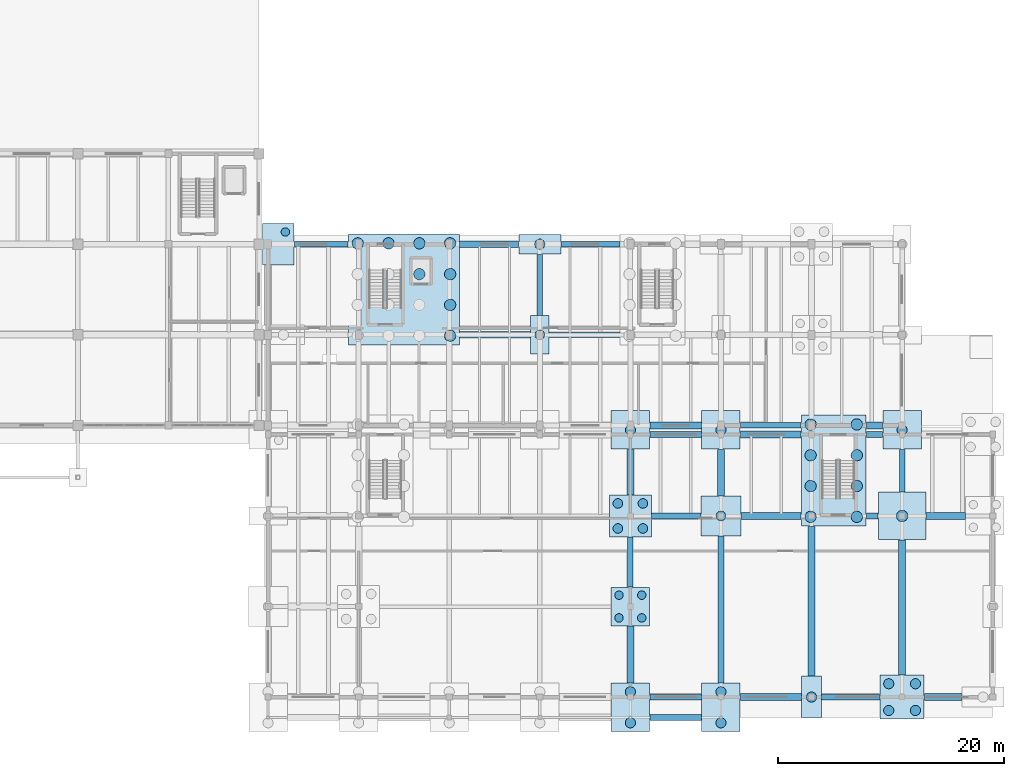
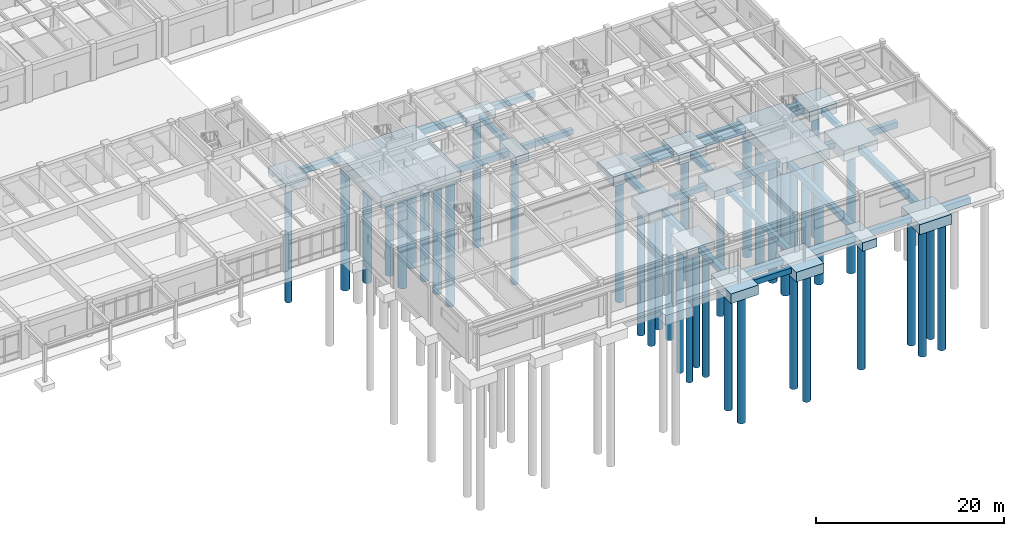
# One storey, part 3 of 64: 45 footings, 41 piles.
"""IFC4 building model written with IfcOpenShell, lengths in metres."""

from ifc_helpers import new_model, si_unit, direction, frame, origin, origin_2d, place, context, subcontext, project, spatial, rectangle, circle, extrude, material, layer, layer_set, material_profile, profile_set, type_object, element, save


model = new_model("IFC4")

# Units and contexts
model_context = context("Model", 3, precision=1e-05, world=origin(), true_north=direction((0.0, 1.0)))
body_context = subcontext(model_context, "Body", "Model", "MODEL_VIEW")
ifc_project = project(units=[si_unit("LENGTHUNIT", "METRE"), si_unit("AREAUNIT", "SQUARE_METRE"), si_unit("VOLUMEUNIT", "CUBIC_METRE"), si_unit("PLANEANGLEUNIT", "RADIAN"), si_unit("MASSUNIT", "GRAM", prefix="KILO")], contexts=[model_context])

# Site, building, storey
site_placement = place(None, origin())
site = spatial("IfcSite", under=ifc_project, at=site_placement, CompositionType="ELEMENT")
building_placement = place(site_placement, origin())
building = spatial("IfcBuilding", under=site, at=building_placement, Name="Tlaxcora Railside Police Headquarters", CompositionType="ELEMENT")
storey_placement = place(building_placement, origin())
storey = spatial("IfcBuildingStorey", under=building, at=storey_placement, Name="L00", CompositionType="ELEMENT", Elevation=0.0)

# Piles
ifc_material_1 = material(Name="Concrete C35/45", Category="concrete")
ifc_material_profile_1 = material_profile(ifc_material_1, circle(Radius=0.425048828125, at=origin_2d()), Name="PILE850")
ifc_profile_set_1 = profile_set([ifc_material_profile_1], Name="Concrete C35/45")
pile_type_1 = type_object("IfcPileType", Name="Cast-in-Place Bored Pile PL-12", PredefinedType="BORED", material=ifc_profile_set_1)
pile_1_placement = place(storey_placement, frame((126.800048828125, 44.0, -1.320068359375), z_axis=(0.0, 0.0, -1.0), x_axis=(1.0, 0.0, 0.0)))
element("IfcPile", 1, at=pile_1_placement, inside=storey, type_object=pile_type_1, Name="Bored pile PILE-141-1", PredefinedType="BORED", context=body_context, shape_type="SweptSolid", body=[
    extrude(circle(Radius=0.425048828125, at=origin_2d()), origin(), (0.0, 0.0, 1.0), 16.679931640625),
])
for number, where, z_axis, x_axis, name in (
    (2, (133.695068359375, 26.89501953125, -1.52001953125), (0.0, 0.0, -1.0), (1.0, 0.0, 0.0), "Bored pile PILE-145-1"),
    (3, (133.695068359375, 29.10498046875, -1.52001953125), (0.0, 0.0, -1.0), (1.0, 0.0, 0.0), "Bored pile PILE-145-2"),
    (4, (135.905029296875, 26.89501953125, -1.52001953125), (0.0, 0.0, -1.0), (1.0, 0.0, 0.0), "Bored pile PILE-145-3"),
    (5, (135.905029296875, 29.10498046875, -1.52001953125), (0.0, 0.0, -1.0), (1.0, 0.0, 0.0), "Bored pile PILE-145-4"),
):
    element("IfcPile", number, at=place(storey_placement, frame(where, z_axis=z_axis, x_axis=x_axis)), inside=storey, type_object=pile_type_1, Name=name, PredefinedType="BORED", context=body_context, shape_type="SweptSolid", body=[
        extrude(circle(Radius=0.425048828125, at=origin_2d()), origin(), (0.0, 0.0, 1.0), 16.47998046875),
    ])
pile_2_placement = place(storey_placement, frame((142.800048828125, 28.0, -1.419921875), z_axis=(0.0, 0.0, -1.0), x_axis=(1.0, 0.0, 0.0)))
element("IfcPile", 6, at=pile_2_placement, inside=storey, type_object=pile_type_1, Name="Bored pile PILE-148-1", PredefinedType="BORED", context=body_context, shape_type="SweptSolid", body=[
    extrude(circle(Radius=0.425048828125, at=origin_2d()), origin(), (0.0, 0.0, 1.0), 16.580078125),
])
ifc_material_profile_2 = material_profile(ifc_material_1, circle(Radius=0.449951171875, at=origin_2d()), Name="PILE900")
ifc_profile_set_2 = profile_set([ifc_material_profile_2], Name="Concrete C35/45")
pile_type_2 = type_object("IfcPileType", Name="Cast-in-Place Bored Pile PL-52", PredefinedType="BORED", material=ifc_profile_set_2)
pile_3_placement = place(storey_placement, frame((126.800048828125, 52.0, -1.3701171875), z_axis=(0.0, 0.0, -1.0), x_axis=(1.0, 0.0, 0.0)))
element("IfcPile", 7, at=pile_3_placement, inside=storey, type_object=pile_type_2, Name="Bored pile PILE-142-1", PredefinedType="BORED", context=body_context, shape_type="SweptSolid", body=[
    extrude(circle(Radius=0.449951171875, at=origin_2d()), origin(), (0.0, 0.0, 1.0), 16.6298828125),
])
for number, where, z_axis, x_axis, name in (
    (8, (134.800048828125, 9.72998046875, -1.52001953125), (0.0, 0.0, -1.0), (1.0, 0.0, 0.0), "Bored pile PILE-143-1"),
    (9, (134.800048828125, 12.469970703125, -1.52001953125), (0.0, 0.0, -1.0), (1.0, 0.0, 0.0), "Bored pile PILE-143-2"),
    (10, (134.800048828125, 35.60009765625, -1.52001953125), (0.0, 0.0, -1.0), (1.0, 0.0, 0.0), "Bored pile PILE-146-1"),
    (11, (142.800048828125, 9.72998046875, -1.52001953125), (0.0, 0.0, -1.0), (1.0, 0.0, 0.0), "Bored pile PILE-147-1"),
    (12, (142.800048828125, 12.469970703125, -1.52001953125), (0.0, 0.0, -1.0), (1.0, 0.0, 0.0), "Bored pile PILE-147-2"),
    (13, (142.800048828125, 35.60009765625, -1.52001953125), (0.0, 0.0, -1.0), (1.0, 0.0, 0.0), "Bored pile PILE-149-1"),
):
    element("IfcPile", number, at=place(storey_placement, frame(where, z_axis=z_axis, x_axis=x_axis)), inside=storey, type_object=pile_type_2, Name=name, PredefinedType="BORED", context=body_context, shape_type="SweptSolid", body=[
        extrude(circle(Radius=0.449951171875, at=origin_2d()), origin(), (0.0, 0.0, 1.0), 16.47998046875),
    ])
pile_4_placement = place(storey_placement, frame((150.800048828125, 12.0, -1.3701171875), z_axis=(0.0, 0.0, -1.0), x_axis=(1.0, 0.0, 0.0)))
element("IfcPile", 14, at=pile_4_placement, inside=storey, type_object=pile_type_2, Name="Bored pile PILE-152-1", PredefinedType="BORED", context=body_context, shape_type="SweptSolid", body=[
    extrude(circle(Radius=0.449951171875, at=origin_2d()), origin(), (0.0, 0.0, 1.0), 16.6298828125),
])
for number, where, z_axis, x_axis, name in (
    (15, (157.6201171875, 10.820068359375, -1.570068359375), (0.0, 0.0, -1.0), (1.0, 0.0, 0.0), "Bored pile PILE-155-1"),
    (16, (157.6201171875, 13.179931640625, -1.570068359375), (0.0, 0.0, -1.0), (1.0, 0.0, 0.0), "Bored pile PILE-155-2"),
    (17, (159.97998046875, 10.820068359375, -1.570068359375), (0.0, 0.0, -1.0), (1.0, 0.0, 0.0), "Bored pile PILE-155-3"),
    (18, (159.97998046875, 13.179931640625, -1.570068359375), (0.0, 0.0, -1.0), (1.0, 0.0, 0.0), "Bored pile PILE-155-4"),
):
    element("IfcPile", number, at=place(storey_placement, frame(where, z_axis=z_axis, x_axis=x_axis)), inside=storey, type_object=pile_type_2, Name=name, PredefinedType="BORED", context=body_context, shape_type="SweptSolid", body=[
        extrude(circle(Radius=0.449951171875, at=origin_2d()), origin(), (0.0, 0.0, 1.0), 16.429931640625),
    ])
pile_5_placement = place(storey_placement, frame((158.800048828125, 35.60009765625, -1.52001953125), z_axis=(0.0, 0.0, -1.0), x_axis=(1.0, 0.0, 0.0)))
element("IfcPile", 19, at=pile_5_placement, inside=storey, type_object=pile_type_2, Name="Bored pile PILE-157-1", PredefinedType="BORED", context=body_context, shape_type="SweptSolid", body=[
    extrude(circle(Radius=0.449951171875, at=origin_2d()), origin(), (0.0, 0.0, 1.0), 16.47998046875),
])
ifc_material_profile_3 = material_profile(ifc_material_1, circle(Radius=0.375, at=origin_2d()), Name="PILE750")
ifc_profile_set_3 = profile_set([ifc_material_profile_3], Name="Concrete C35/45")
pile_type_3 = type_object("IfcPileType", Name="Cast-in-Place Bored Pile PL-58", PredefinedType="BORED", material=ifc_profile_set_3)
pile_6_placement = place(storey_placement, frame((104.330078125, 53.080078125, -1.3701171875), z_axis=(0.0, 0.0, -1.0), x_axis=(1.0, 0.0, 0.0)))
element("IfcPile", 20, at=pile_6_placement, inside=storey, type_object=pile_type_3, Name="Bored pile PILE-134-1", PredefinedType="BORED", context=body_context, shape_type="SweptSolid", body=[
    extrude(circle(Radius=0.375, at=origin_2d()), origin(), (0.0, 0.0, 1.0), 16.6298828125),
])
for number, where, z_axis, x_axis, name in (
    (21, (133.794921875, 18.9951171875, -1.419921875), (0.0, 0.0, -1.0), (1.0, 0.0, 0.0), "Bored pile PILE-144-1"),
    (22, (133.794921875, 21.0048828125, -1.419921875), (0.0, 0.0, -1.0), (1.0, 0.0, 0.0), "Bored pile PILE-144-2"),
    (23, (135.804931640625, 18.9951171875, -1.419921875), (0.0, 0.0, -1.0), (1.0, 0.0, 0.0), "Bored pile PILE-144-3"),
    (24, (135.804931640625, 21.0048828125, -1.419921875), (0.0, 0.0, -1.0), (1.0, 0.0, 0.0), "Bored pile PILE-144-4"),
):
    element("IfcPile", number, at=place(storey_placement, frame(where, z_axis=z_axis, x_axis=x_axis)), inside=storey, type_object=pile_type_3, Name=name, PredefinedType="BORED", context=body_context, shape_type="SweptSolid", body=[
        extrude(circle(Radius=0.375, at=origin_2d()), origin(), (0.0, 0.0, 1.0), 16.580078125),
    ])
ifc_material_profile_4 = material_profile(ifc_material_1, circle(Radius=0.5, at=origin_2d()), Name="PILE1000")
ifc_profile_set_4 = profile_set([ifc_material_profile_4], Name="Concrete C35/45")
pile_type_4 = type_object("IfcPileType", Name="Cast-in-Place Bored Pile PL-74", PredefinedType="BORED", material=ifc_profile_set_4)
for number, where, z_axis, x_axis, name in (
    (25, (110.719970703125, 52.080078125, -1.719970703125), (0.0, 0.0, -1.0), (1.0, 0.0, 0.0), "Bored pile PILE-105-4"),
    (26, (113.43994140625, 52.080078125, -1.719970703125), (0.0, 0.0, -1.0), (1.0, 0.0, 0.0), "Bored pile PILE-105-8"),
    (27, (116.159912109375, 49.360107421875, -1.719970703125), (0.0, 0.0, -1.0), (1.0, 0.0, 0.0), "Bored pile PILE-105-11"),
    (28, (116.159912109375, 52.080078125, -1.719970703125), (0.0, 0.0, -1.0), (1.0, 0.0, 0.0), "Bored pile PILE-105-12"),
    (29, (118.8798828125, 43.919921875, -1.719970703125), (0.0, 0.0, -1.0), (1.0, 0.0, 0.0), "Bored pile PILE-105-13"),
    (30, (118.8798828125, 46.639892578125, -1.719970703125), (0.0, 0.0, -1.0), (1.0, 0.0, 0.0), "Bored pile PILE-105-14"),
    (31, (118.8798828125, 49.360107421875, -1.719970703125), (0.0, 0.0, -1.0), (1.0, 0.0, 0.0), "Bored pile PILE-105-15"),
    (32, (118.8798828125, 52.080078125, -1.719970703125), (0.0, 0.0, -1.0), (1.0, 0.0, 0.0), "Bored pile PILE-105-16"),
    (33, (150.719970703125, 27.919921875, -1.719970703125), (0.0, 0.0, -1.0), (1.0, 0.0, 0.0), "Bored pile PILE-108-1"),
    (34, (150.719970703125, 30.639892578125, -1.719970703125), (0.0, 0.0, -1.0), (1.0, 0.0, 0.0), "Bored pile PILE-108-2"),
    (35, (150.719970703125, 33.360107421875, -1.719970703125), (0.0, 0.0, -1.0), (1.0, 0.0, 0.0), "Bored pile PILE-108-3"),
    (36, (150.719970703125, 36.080078125, -1.719970703125), (0.0, 0.0, -1.0), (1.0, 0.0, 0.0), "Bored pile PILE-108-4"),
    (37, (154.800048828125, 27.919921875, -1.719970703125), (0.0, 0.0, -1.0), (1.0, 0.0, 0.0), "Bored pile PILE-108-5"),
    (38, (154.800048828125, 30.639892578125, -1.719970703125), (0.0, 0.0, -1.0), (1.0, 0.0, 0.0), "Bored pile PILE-108-6"),
    (39, (154.800048828125, 33.360107421875, -1.719970703125), (0.0, 0.0, -1.0), (1.0, 0.0, 0.0), "Bored pile PILE-108-7"),
    (40, (154.800048828125, 36.080078125, -1.719970703125), (0.0, 0.0, -1.0), (1.0, 0.0, 0.0), "Bored pile PILE-108-8"),
):
    element("IfcPile", number, at=place(storey_placement, frame(where, z_axis=z_axis, x_axis=x_axis)), inside=storey, type_object=pile_type_4, Name=name, PredefinedType="BORED", context=body_context, shape_type="SweptSolid", body=[
        extrude(circle(Radius=0.5, at=origin_2d()), origin(), (0.0, 0.0, 1.0), 16.280029296875),
    ])
pile_7_placement = place(storey_placement, frame((158.800048828125, 28.0, -1.669921875), z_axis=(0.0, 0.0, -1.0), x_axis=(1.0, 0.0, 0.0)))
element("IfcPile", 41, at=pile_7_placement, inside=storey, type_object=pile_type_4, Name="Bored pile PILE-156-1", PredefinedType="BORED", context=body_context, shape_type="SweptSolid", body=[
    extrude(circle(Radius=0.5, at=origin_2d()), origin(), (0.0, 0.0, 1.0), 16.330078125),
])

# Footings
ifc_material_2 = material(Name="Concrete C40/50", Category="concrete")
ifc_layer_1 = layer(ifc_material_2, 1.35009765625, Name="Concrete C40/50")
ifc_layer_set_1 = layer_set([ifc_layer_1], Name="Concrete C40/50")
footing_type_1 = type_object("IfcFootingType", Name="Reinforced Concrete Pile Cap FT-227", PredefinedType="PILE_CAP", material=ifc_layer_set_1)
for number, where, z_axis, x_axis, name in (
    (42, (134.800048828125, 35.60009765625, -1.669921875), (0.0, 0.0, 1.0), (1.0, 0.0, 0.0), "Pile cap CAP-L00-146"),
    (43, (142.800048828125, 35.60009765625, -1.669921875), (0.0, 0.0, 1.0), (1.0, 0.0, 0.0), "Pile cap CAP-L00-149"),
    (44, (158.800048828125, 35.60009765625, -1.669921875), (0.0, 0.0, 1.0), (1.0, 0.0, 0.0), "Pile cap CAP-L00-157"),
):
    element("IfcFooting", number, at=place(storey_placement, frame(where, z_axis=z_axis, x_axis=x_axis)), inside=storey, type_object=footing_type_1, Name=name, PredefinedType="PILE_CAP", context=body_context, shape_type="SweptSolid", body=[
        extrude(rectangle(XDim=3.39990234375, YDim=3.39990234375, at=origin_2d()), origin(), (0.0, 0.0, 1.0), 1.25),
    ])
ifc_layer_2 = layer(ifc_material_2, 1.449951171875, Name="Concrete C40/50")
ifc_layer_set_2 = layer_set([ifc_layer_2], Name="Concrete C40/50")
footing_type_2 = type_object("IfcFootingType", Name="Reinforced Concrete Pile Cap FT-234", PredefinedType="PILE_CAP", material=ifc_layer_set_2)
footing_1_placement = place(storey_placement, frame((114.800048828125, 48.0, -1.8701171875), z_axis=(0.0, 0.0, 1.0), x_axis=(1.0, 0.0, 0.0)))
element("IfcFooting", 45, at=footing_1_placement, inside=storey, type_object=footing_type_2, Name="Pile cap CAP-L00-105", PredefinedType="PILE_CAP", context=body_context, shape_type="SweptSolid", body=[
    extrude(rectangle(XDim=9.800048828125, YDim=9.800048828125, at=origin_2d()), origin(), (0.0, 0.0, 1.0), 1.449951171875),
])
ifc_layer_3 = layer(ifc_material_2, 1.449951171875, Name="Concrete C40/50")
ifc_layer_set_3 = layer_set([ifc_layer_3], Name="Concrete C40/50")
footing_type_3 = type_object("IfcFootingType", Name="Reinforced Concrete Pile Cap FT-242", PredefinedType="PILE_CAP", material=ifc_layer_set_3)
footing_2_placement = place(storey_placement, frame((152.760009765625, 32.0, -1.8701171875), z_axis=(0.0, 0.0, 1.0), x_axis=(1.0, 0.0, 0.0)))
element("IfcFooting", 46, at=footing_2_placement, inside=storey, type_object=footing_type_3, Name="Pile cap CAP-L00-108", PredefinedType="PILE_CAP", context=body_context, shape_type="SweptSolid", body=[
    extrude(rectangle(XDim=5.719970703125, YDim=9.800048828125, at=origin_2d()), origin(), (0.0, 0.0, 1.0), 1.449951171875),
])
ifc_layer_4 = layer(ifc_material_2, 1.10009765625, Name="Concrete C40/50")
ifc_layer_set_4 = layer_set([ifc_layer_4], Name="Concrete C40/50")
footing_type_4 = type_object("IfcFootingType", Name="Reinforced Concrete Pile Cap FT-243", PredefinedType="PILE_CAP", material=ifc_layer_set_4)
footing_3_placement = place(storey_placement, frame((103.699951171875, 52.0, -1.52001953125), z_axis=(0.0, 0.0, 1.0), x_axis=(1.0, 0.0, 0.0)))
element("IfcFooting", 47, at=footing_3_placement, inside=storey, type_object=footing_type_4, Name="Pile cap CAP-L00-134", PredefinedType="PILE_CAP", context=body_context, shape_type="SweptSolid", body=[
    extrude(rectangle(XDim=2.800048828125, YDim=3.699951171875, at=origin_2d()), origin(), (0.0, 0.0, 1.0), 1.10009765625),
])
ifc_layer_5 = layer(ifc_material_2, 1.25, Name="Concrete C40/50")
ifc_layer_set_5 = layer_set([ifc_layer_5], Name="Concrete C40/50")
footing_type_5 = type_object("IfcFootingType", Name="Reinforced Concrete Pile Cap FT-246", PredefinedType="PILE_CAP", material=ifc_layer_set_5)
for number, where, z_axis, x_axis, name in (
    (48, (134.800048828125, 11.10009765625, -1.669921875), (0.0, 0.0, 1.0), (1.0, 0.0, 0.0), "Pile cap CAP-L00-143"),
    (49, (142.800048828125, 11.10009765625, -1.669921875), (0.0, 0.0, 1.0), (1.0, 0.0, 0.0), "Pile cap CAP-L00-147"),
):
    element("IfcFooting", number, at=place(storey_placement, frame(where, z_axis=z_axis, x_axis=x_axis)), inside=storey, type_object=footing_type_5, Name=name, PredefinedType="PILE_CAP", context=body_context, shape_type="SweptSolid", body=[
        extrude(rectangle(XDim=3.39990234375, YDim=4.280029296875, at=origin_2d()), origin(), (0.0, 0.0, 1.0), 1.25),
    ])
ifc_layer_6 = layer(ifc_material_2, 1.050048828125, Name="Concrete C40/50")
ifc_layer_set_6 = layer_set([ifc_layer_6], Name="Concrete C40/50")
footing_type_6 = type_object("IfcFootingType", Name="Reinforced Concrete Pile Cap FT-30", PredefinedType="PILE_CAP", material=ifc_layer_set_6)
footing_4_placement = place(storey_placement, frame((126.800048828125, 44.0, -1.47021484375), z_axis=(0.0, 0.0, 1.0), x_axis=(1.0, 0.0, 0.0)))
element("IfcFooting", 50, at=footing_4_placement, inside=storey, type_object=footing_type_6, Name="Pile cap CAP-L00-141", PredefinedType="PILE_CAP", context=body_context, shape_type="SweptSolid", body=[
    extrude(rectangle(XDim=1.60009765625, YDim=3.39990234375, at=origin_2d()), origin(), (0.0, 0.0, 1.0), 1.050048828125),
])
ifc_layer_7 = layer(ifc_material_2, 1.14990234375, Name="Concrete C40/50")
ifc_layer_set_7 = layer_set([ifc_layer_7], Name="Concrete C40/50")
footing_type_7 = type_object("IfcFootingType", Name="Reinforced Concrete Pile Cap FT-44", PredefinedType="PILE_CAP", material=ifc_layer_set_7)
footing_5_placement = place(storey_placement, frame((134.800048828125, 20.0, -1.570068359375), z_axis=(0.0, 0.0, 1.0), x_axis=(1.0, 0.0, 0.0)))
element("IfcFooting", 51, at=footing_5_placement, inside=storey, type_object=footing_type_7, Name="Pile cap CAP-L00-144", PredefinedType="PILE_CAP", context=body_context, shape_type="SweptSolid", body=[
    extrude(rectangle(XDim=3.39990234375, YDim=3.39990234375, at=origin_2d()), origin(), (0.0, 0.0, 1.0), 1.14990234375),
])
ifc_layer_8 = layer(ifc_material_2, 1.14990234375, Name="Concrete C40/50")
ifc_layer_set_8 = layer_set([ifc_layer_8], Name="Concrete C40/50")
footing_type_8 = type_object("IfcFootingType", Name="Reinforced Concrete Pile Cap FT-46", PredefinedType="PILE_CAP", material=ifc_layer_set_8)
footing_6_placement = place(storey_placement, frame((142.800048828125, 28.0, -1.570068359375), z_axis=(0.0, 0.0, 1.0), x_axis=(1.0, 0.0, 0.0)))
element("IfcFooting", 52, at=footing_6_placement, inside=storey, type_object=footing_type_8, Name="Pile cap CAP-L00-148", PredefinedType="PILE_CAP", context=body_context, shape_type="SweptSolid", body=[
    extrude(rectangle(XDim=3.5, YDim=3.5, at=origin_2d()), origin(), (0.0, 0.0, 1.0), 1.14990234375),
])
ifc_layer_9 = layer(ifc_material_2, 1.300048828125, Name="Concrete C40/50")
ifc_layer_set_9 = layer_set([ifc_layer_9], Name="Concrete C40/50")
footing_type_9 = type_object("IfcFootingType", Name="Reinforced Concrete Pile Cap FT-75", PredefinedType="PILE_CAP", material=ifc_layer_set_9)
footing_7_placement = place(storey_placement, frame((158.800048828125, 12.0, -1.72021484375), z_axis=(0.0, 0.0, 1.0), x_axis=(1.0, 0.0, 0.0)))
element("IfcFooting", 53, at=footing_7_placement, inside=storey, type_object=footing_type_9, Name="Pile cap CAP-L00-155", PredefinedType="PILE_CAP", context=body_context, shape_type="SweptSolid", body=[
    extrude(rectangle(XDim=3.89990234375, YDim=3.89990234375, at=origin_2d()), origin(), (0.0, 0.0, 1.0), 1.300048828125),
])
ifc_layer_10 = layer(ifc_material_2, 1.10009765625, Name="Concrete C40/50")
ifc_layer_set_10 = layer_set([ifc_layer_10], Name="Concrete C40/50")
footing_type_10 = type_object("IfcFootingType", Name="Reinforced Concrete Pile Cap FT-77", PredefinedType="PILE_CAP", material=ifc_layer_set_10)
footing_8_placement = place(storey_placement, frame((126.800048828125, 52.0, -1.52001953125), z_axis=(0.0, 0.0, 1.0), x_axis=(1.0, 0.0, 0.0)))
element("IfcFooting", 54, at=footing_8_placement, inside=storey, type_object=footing_type_10, Name="Pile cap CAP-L00-142", PredefinedType="PILE_CAP", context=body_context, shape_type="SweptSolid", body=[
    extrude(rectangle(XDim=3.699951171875, YDim=1.75, at=origin_2d()), origin(), (0.0, 0.0, 1.0), 1.10009765625),
])
ifc_layer_11 = layer(ifc_material_2, 1.25, Name="Concrete C40/50")
ifc_layer_set_11 = layer_set([ifc_layer_11], Name="Concrete C40/50")
footing_type_11 = type_object("IfcFootingType", Name="Reinforced Concrete Pile Cap FT-78", PredefinedType="PILE_CAP", material=ifc_layer_set_11)
footing_9_placement = place(storey_placement, frame((134.800048828125, 28.0, -1.669921875), z_axis=(0.0, 0.0, 1.0), x_axis=(1.0, 0.0, 0.0)))
element("IfcFooting", 55, at=footing_9_placement, inside=storey, type_object=footing_type_11, Name="Pile cap CAP-L00-145", PredefinedType="PILE_CAP", context=body_context, shape_type="SweptSolid", body=[
    extrude(rectangle(XDim=3.699951171875, YDim=3.699951171875, at=origin_2d()), origin(), (0.0, 0.0, 1.0), 1.25),
])
ifc_layer_12 = layer(ifc_material_2, 1.39990234375, Name="Concrete C40/50")
ifc_layer_set_12 = layer_set([ifc_layer_12], Name="Concrete C40/50")
footing_type_12 = type_object("IfcFootingType", Name="Reinforced Concrete Pile Cap FT-93", PredefinedType="PILE_CAP", material=ifc_layer_set_12)
footing_10_placement = place(storey_placement, frame((158.800048828125, 28.0, -1.820068359375), z_axis=(0.0, 0.0, 1.0), x_axis=(1.0, 0.0, 0.0)))
element("IfcFooting", 56, at=footing_10_placement, inside=storey, type_object=footing_type_12, Name="Pile cap CAP-L00-156", PredefinedType="PILE_CAP", context=body_context, shape_type="SweptSolid", body=[
    extrude(rectangle(XDim=4.199951171875, YDim=4.199951171875, at=origin_2d()), origin(), (0.0, 0.0, 1.0), 1.39990234375),
])
ifc_layer_13 = layer(ifc_material_2, 1.10009765625, Name="Concrete C40/50")
ifc_layer_set_13 = layer_set([ifc_layer_13], Name="Concrete C40/50")
footing_type_13 = type_object("IfcFootingType", Name="Reinforced Concrete Pile Cap FT-97", PredefinedType="PILE_CAP", material=ifc_layer_set_13)
footing_11_placement = place(storey_placement, frame((150.800048828125, 12.0, -1.52001953125), z_axis=(0.0, 0.0, 1.0), x_axis=(1.0, 0.0, 0.0)))
element("IfcFooting", 57, at=footing_11_placement, inside=storey, type_object=footing_type_13, Name="Pile cap CAP-L00-152", PredefinedType="PILE_CAP", context=body_context, shape_type="SweptSolid", body=[
    extrude(rectangle(XDim=1.75, YDim=3.699951171875, at=origin_2d()), origin(), (0.0, 0.0, 1.0), 1.10009765625),
])
ifc_layer_14 = layer(ifc_material_1, 0.699951171875, Name="Concrete C35/45")
ifc_layer_set_14 = layer_set([ifc_layer_14], Name="Concrete C35/45")
footing_type_14 = type_object("IfcFootingType", Name="Reinforced Concrete Tie Beam FT-39", PredefinedType="FOOTING_BEAM", material=ifc_layer_set_14)
for number, where, z_axis, x_axis, name in (
    (58, (138.800048828125, 10.199951171875, -1.1201171875), (0.0, 0.0, 1.0), (1.0, 0.0, 0.0), "Seismic tie beam TB-X-179"),
    (59, (138.800048828125, 12.0, -1.1201171875), (0.0, 0.0, 1.0), (1.0, 0.0, 0.0), "Seismic tie beam TB-X-189"),
):
    element("IfcFooting", number, at=place(storey_placement, frame(where, z_axis=z_axis, x_axis=x_axis)), inside=storey, type_object=footing_type_14, Name=name, PredefinedType="FOOTING_BEAM", context=body_context, shape_type="SweptSolid", body=[
        extrude(rectangle(XDim=4.56005859375, YDim=0.5, at=origin_2d()), origin(), (0.0, 0.0, 1.0), 0.699951171875),
    ])
footing_12_placement = place(storey_placement, frame((154.262451171875, 12.0, -1.1201171875), z_axis=(0.0, 0.0, 1.0), x_axis=(1.0, 0.0, 0.0)))
element("IfcFooting", 60, at=footing_12_placement, inside=storey, type_object=footing_type_14, Name="Seismic tie beam TB-X-191", PredefinedType="FOOTING_BEAM", context=body_context, shape_type="SweptSolid", body=[
    extrude(rectangle(XDim=5.135009765625, YDim=0.5, at=origin_2d()), origin(), (0.0, 0.0, 1.0), 0.699951171875),
])
footing_13_placement = place(storey_placement, frame((138.85009765625, 28.0, -1.1201171875), z_axis=(0.0, 0.0, 1.0), x_axis=(1.0, 0.0, 0.0)))
element("IfcFooting", 61, at=footing_13_placement, inside=storey, type_object=footing_type_14, Name="Seismic tie beam TB-X-205", PredefinedType="FOOTING_BEAM", context=body_context, shape_type="SweptSolid", body=[
    extrude(rectangle(XDim=4.360107421875, YDim=0.5, at=origin_2d()), origin(), (0.0, 0.0, 1.0), 0.699951171875),
])
footing_14_placement = place(storey_placement, frame((156.159912109375, 28.0, -1.1201171875), z_axis=(0.0, 0.0, 1.0), x_axis=(1.0, 0.0, 0.0)))
element("IfcFooting", 62, at=footing_14_placement, inside=storey, type_object=footing_type_14, Name="Seismic tie beam TB-X-207", PredefinedType="FOOTING_BEAM", context=body_context, shape_type="SweptSolid", body=[
    extrude(rectangle(XDim=1.0400390625, YDim=0.5, at=origin_2d()), origin(), (0.0, 0.0, 1.0), 0.699951171875),
])
footing_15_placement = place(storey_placement, frame((138.800048828125, 35.199951171875, -1.1201171875), z_axis=(0.0, 0.0, 1.0), x_axis=(1.0, 0.0, 0.0)))
element("IfcFooting", 63, at=footing_15_placement, inside=storey, type_object=footing_type_14, Name="Seismic tie beam TB-X-213", PredefinedType="FOOTING_BEAM", context=body_context, shape_type="SweptSolid", body=[
    extrude(rectangle(XDim=4.56005859375, YDim=0.5, at=origin_2d()), origin(), (0.0, 0.0, 1.0), 0.699951171875),
])
footing_16_placement = place(storey_placement, frame((156.360107421875, 35.199951171875, -1.1201171875), z_axis=(0.0, 0.0, 1.0), x_axis=(1.0, 0.0, 0.0)))
element("IfcFooting", 64, at=footing_16_placement, inside=storey, type_object=footing_type_14, Name="Seismic tie beam TB-X-215", PredefinedType="FOOTING_BEAM", context=body_context, shape_type="SweptSolid", body=[
    extrude(rectangle(XDim=1.43994140625, YDim=0.5, at=origin_2d()), origin(), (0.0, 0.0, 1.0), 0.699951171875),
])
footing_17_placement = place(storey_placement, frame((147.199951171875, 36.0, -1.1201171875), z_axis=(0.0, 0.0, 1.0), x_axis=(1.0, 0.0, 0.0)))
element("IfcFooting", 65, at=footing_17_placement, inside=storey, type_object=footing_type_14, Name="Seismic tie beam TB-X-227", PredefinedType="FOOTING_BEAM", context=body_context, shape_type="SweptSolid", body=[
    extrude(rectangle(XDim=5.360107421875, YDim=0.5, at=origin_2d()), origin(), (0.0, 0.0, 1.0), 0.699951171875),
])
footing_18_placement = place(storey_placement, frame((130.75, 44.0, -1.1201171875), z_axis=(0.0, 0.0, 1.0), x_axis=(1.0, 0.0, 0.0)))
element("IfcFooting", 66, at=footing_18_placement, inside=storey, type_object=footing_type_14, Name="Seismic tie beam TB-X-231", PredefinedType="FOOTING_BEAM", context=body_context, shape_type="SweptSolid", body=[
    extrude(rectangle(XDim=6.260009765625, YDim=0.5, at=origin_2d()), origin(), (0.0, 0.0, 1.0), 0.699951171875),
])
footing_19_placement = place(storey_placement, frame((107.5, 52.0, -1.1201171875), z_axis=(0.0, 0.0, 1.0), x_axis=(1.0, 0.0, 0.0)))
element("IfcFooting", 67, at=footing_19_placement, inside=storey, type_object=footing_type_14, Name="Seismic tie beam TB-X-235", PredefinedType="FOOTING_BEAM", context=body_context, shape_type="SweptSolid", body=[
    extrude(rectangle(XDim=4.760009765625, YDim=0.5, at=origin_2d()), origin(), (0.0, 0.0, 1.0), 0.699951171875),
])
footing_20_placement = place(storey_placement, frame((131.27490234375, 52.0, -1.1201171875), z_axis=(0.0, 0.0, 1.0), x_axis=(1.0, 0.0, 0.0)))
element("IfcFooting", 68, at=footing_20_placement, inside=storey, type_object=footing_type_14, Name="Seismic tie beam TB-X-237", PredefinedType="FOOTING_BEAM", context=body_context, shape_type="SweptSolid", body=[
    extrude(rectangle(XDim=5.2099609375, YDim=0.5, at=origin_2d()), origin(), (0.0, 0.0, 1.0), 0.699951171875),
])
footing_21_placement = place(storey_placement, frame((126.800048828125, 48.41259765625, -1.1201171875), z_axis=(0.0, 0.0, 1.0), x_axis=(0.0, 1.0, 0.0)))
element("IfcFooting", 69, at=footing_21_placement, inside=storey, type_object=footing_type_14, Name="Seismic tie beam TB-Y-259", PredefinedType="FOOTING_BEAM", context=body_context, shape_type="SweptSolid", body=[
    extrude(rectangle(XDim=5.385009765625, YDim=0.5, at=origin_2d()), origin(), (0.0, 0.0, 1.0), 0.699951171875),
])
footing_22_placement = place(storey_placement, frame((134.800048828125, 23.925048828125, -1.1201171875), z_axis=(0.0, 0.0, 1.0), x_axis=(0.0, 1.0, 0.0)))
element("IfcFooting", 70, at=footing_22_placement, inside=storey, type_object=footing_type_14, Name="Seismic tie beam TB-Y-261", PredefinedType="FOOTING_BEAM", context=body_context, shape_type="SweptSolid", body=[
    extrude(rectangle(XDim=4.409912109375, YDim=0.5, at=origin_2d()), origin(), (0.0, 0.0, 1.0), 0.699951171875),
])
footing_23_placement = place(storey_placement, frame((142.800048828125, 19.7451171875, -1.1201171875), z_axis=(0.0, 0.0, 1.0), x_axis=(0.0, 1.0, 0.0)))
element("IfcFooting", 71, at=footing_23_placement, inside=storey, type_object=footing_type_14, Name="Seismic tie beam TB-Y-263", PredefinedType="FOOTING_BEAM", context=body_context, shape_type="SweptSolid", body=[
    extrude(rectangle(XDim=12.969970703125, YDim=0.5, at=origin_2d()), origin(), (0.0, 0.0, 1.0), 0.699951171875),
])
footing_24_placement = place(storey_placement, frame((158.800048828125, 32.0, -1.1201171875), z_axis=(0.0, 0.0, 1.0), x_axis=(0.0, 1.0, 0.0)))
element("IfcFooting", 72, at=footing_24_placement, inside=storey, type_object=footing_type_14, Name="Seismic tie beam TB-Y-269", PredefinedType="FOOTING_BEAM", context=body_context, shape_type="SweptSolid", body=[
    extrude(rectangle(XDim=3.760009765625, YDim=0.5, at=origin_2d()), origin(), (0.0, 0.0, 1.0), 0.699951171875),
])
ifc_layer_15 = layer(ifc_material_1, 0.800048828125, Name="Concrete C35/45")
ifc_layer_set_15 = layer_set([ifc_layer_15], Name="Concrete C35/45")
footing_type_15 = type_object("IfcFootingType", Name="Reinforced Concrete Tie Beam FT-96", PredefinedType="FOOTING_BEAM", material=ifc_layer_set_15)
footing_25_placement = place(storey_placement, frame((147.21240234375, 12.0, -1.22021484375), z_axis=(0.0, 0.0, 1.0), x_axis=(1.0, 0.0, 0.0)))
element("IfcFooting", 73, at=footing_25_placement, inside=storey, type_object=footing_type_15, Name="Seismic tie beam TB-X-190", PredefinedType="FOOTING_BEAM", context=body_context, shape_type="SweptSolid", body=[
    extrude(rectangle(XDim=5.385009765625, YDim=0.60009765625, at=origin_2d()), origin(), (0.0, 0.0, 1.0), 0.800048828125),
])
footing_26_placement = place(storey_placement, frame((162.425048828125, 12.0, -1.22021484375), z_axis=(0.0, 0.0, 1.0), x_axis=(1.0, 0.0, 0.0)))
element("IfcFooting", 74, at=footing_26_placement, inside=storey, type_object=footing_type_15, Name="Seismic tie beam TB-X-192", PredefinedType="FOOTING_BEAM", context=body_context, shape_type="SweptSolid", body=[
    extrude(rectangle(XDim=3.31005859375, YDim=0.60009765625, at=origin_2d()), origin(), (0.0, 0.0, 1.0), 0.800048828125),
])
footing_27_placement = place(storey_placement, frame((147.22509765625, 28.0, -1.22021484375), z_axis=(0.0, 0.0, 1.0), x_axis=(1.0, 0.0, 0.0)))
element("IfcFooting", 75, at=footing_27_placement, inside=storey, type_object=footing_type_15, Name="Seismic tie beam TB-X-206", PredefinedType="FOOTING_BEAM", context=body_context, shape_type="SweptSolid", body=[
    extrude(rectangle(XDim=5.31005859375, YDim=0.60009765625, at=origin_2d()), origin(), (0.0, 0.0, 1.0), 0.800048828125),
])
footing_28_placement = place(storey_placement, frame((162.64990234375, 28.0, -1.22021484375), z_axis=(0.0, 0.0, 1.0), x_axis=(1.0, 0.0, 0.0)))
element("IfcFooting", 76, at=footing_28_placement, inside=storey, type_object=footing_type_15, Name="Seismic tie beam TB-X-208", PredefinedType="FOOTING_BEAM", context=body_context, shape_type="SweptSolid", body=[
    extrude(rectangle(XDim=3.4599609375, YDim=0.60009765625, at=origin_2d()), origin(), (0.0, 0.0, 1.0), 0.800048828125),
])
footing_29_placement = place(storey_placement, frame((147.199951171875, 35.199951171875, -1.22021484375), z_axis=(0.0, 0.0, 1.0), x_axis=(1.0, 0.0, 0.0)))
element("IfcFooting", 77, at=footing_29_placement, inside=storey, type_object=footing_type_15, Name="Seismic tie beam TB-X-214", PredefinedType="FOOTING_BEAM", context=body_context, shape_type="SweptSolid", body=[
    extrude(rectangle(XDim=5.360107421875, YDim=0.60009765625, at=origin_2d()), origin(), (0.0, 0.0, 1.0), 0.800048828125),
])
footing_30_placement = place(storey_placement, frame((138.800048828125, 36.0, -1.22021484375), z_axis=(0.0, 0.0, 1.0), x_axis=(1.0, 0.0, 0.0)))
element("IfcFooting", 78, at=footing_30_placement, inside=storey, type_object=footing_type_15, Name="Seismic tie beam TB-X-226", PredefinedType="FOOTING_BEAM", context=body_context, shape_type="SweptSolid", body=[
    extrude(rectangle(XDim=4.56005859375, YDim=0.60009765625, at=origin_2d()), origin(), (0.0, 0.0, 1.0), 0.800048828125),
])
footing_31_placement = place(storey_placement, frame((156.360107421875, 36.0, -1.22021484375), z_axis=(0.0, 0.0, 1.0), x_axis=(1.0, 0.0, 0.0)))
element("IfcFooting", 79, at=footing_31_placement, inside=storey, type_object=footing_type_15, Name="Seismic tie beam TB-X-228", PredefinedType="FOOTING_BEAM", context=body_context, shape_type="SweptSolid", body=[
    extrude(rectangle(XDim=1.43994140625, YDim=0.60009765625, at=origin_2d()), origin(), (0.0, 0.0, 1.0), 0.800048828125),
])
footing_32_placement = place(storey_placement, frame((122.85009765625, 44.0, -1.22021484375), z_axis=(0.0, 0.0, 1.0), x_axis=(1.0, 0.0, 0.0)))
element("IfcFooting", 80, at=footing_32_placement, inside=storey, type_object=footing_type_15, Name="Seismic tie beam TB-X-230", PredefinedType="FOOTING_BEAM", context=body_context, shape_type="SweptSolid", body=[
    extrude(rectangle(XDim=6.260009765625, YDim=0.60009765625, at=origin_2d()), origin(), (0.0, 0.0, 1.0), 0.800048828125),
])
footing_33_placement = place(storey_placement, frame((122.324951171875, 52.0, -1.22021484375), z_axis=(0.0, 0.0, 1.0), x_axis=(1.0, 0.0, 0.0)))
element("IfcFooting", 81, at=footing_33_placement, inside=storey, type_object=footing_type_15, Name="Seismic tie beam TB-X-236", PredefinedType="FOOTING_BEAM", context=body_context, shape_type="SweptSolid", body=[
    extrude(rectangle(XDim=5.2099609375, YDim=0.60009765625, at=origin_2d()), origin(), (0.0, 0.0, 1.0), 0.800048828125),
])
footing_34_placement = place(storey_placement, frame((134.800048828125, 15.77001953125, -1.22021484375), z_axis=(0.0, 0.0, 1.0), x_axis=(0.0, 1.0, 0.0)))
element("IfcFooting", 82, at=footing_34_placement, inside=storey, type_object=footing_type_15, Name="Seismic tie beam TB-Y-260", PredefinedType="FOOTING_BEAM", context=body_context, shape_type="SweptSolid", body=[
    extrude(rectangle(XDim=5.02001953125, YDim=0.60009765625, at=origin_2d()), origin(), (0.0, 0.0, 1.0), 0.800048828125),
])
footing_35_placement = place(storey_placement, frame((134.800048828125, 31.875, -1.22021484375), z_axis=(0.0, 0.0, 1.0), x_axis=(0.0, 1.0, 0.0)))
element("IfcFooting", 83, at=footing_35_placement, inside=storey, type_object=footing_type_15, Name="Seismic tie beam TB-Y-262", PredefinedType="FOOTING_BEAM", context=body_context, shape_type="SweptSolid", body=[
    extrude(rectangle(XDim=4.010009765625, YDim=0.60009765625, at=origin_2d()), origin(), (0.0, 0.0, 1.0), 0.800048828125),
])
footing_36_placement = place(storey_placement, frame((142.800048828125, 31.824951171875, -1.22021484375), z_axis=(0.0, 0.0, 1.0), x_axis=(0.0, 1.0, 0.0)))
element("IfcFooting", 84, at=footing_36_placement, inside=storey, type_object=footing_type_15, Name="Seismic tie beam TB-Y-264", PredefinedType="FOOTING_BEAM", context=body_context, shape_type="SweptSolid", body=[
    extrude(rectangle(XDim=4.110107421875, YDim=0.60009765625, at=origin_2d()), origin(), (0.0, 0.0, 1.0), 0.800048828125),
])
footing_37_placement = place(storey_placement, frame((150.800048828125, 20.47509765625, -1.22021484375), z_axis=(0.0, 0.0, 1.0), x_axis=(0.0, 1.0, 0.0)))
element("IfcFooting", 85, at=footing_37_placement, inside=storey, type_object=footing_type_15, Name="Seismic tie beam TB-Y-266", PredefinedType="FOOTING_BEAM", context=body_context, shape_type="SweptSolid", body=[
    extrude(rectangle(XDim=13.2099609375, YDim=0.60009765625, at=origin_2d()), origin(), (0.0, 0.0, 1.0), 0.800048828125),
])
footing_38_placement = place(storey_placement, frame((158.800048828125, 19.925048828125, -1.22021484375), z_axis=(0.0, 0.0, 1.0), x_axis=(0.0, 1.0, 0.0)))
element("IfcFooting", 86, at=footing_38_placement, inside=storey, type_object=footing_type_15, Name="Seismic tie beam TB-Y-268", PredefinedType="FOOTING_BEAM", context=body_context, shape_type="SweptSolid", body=[
    extrude(rectangle(XDim=11.909912109375, YDim=0.60009765625, at=origin_2d()), origin(), (0.0, 0.0, 1.0), 0.800048828125),
])

save(model, "model.ifc")
